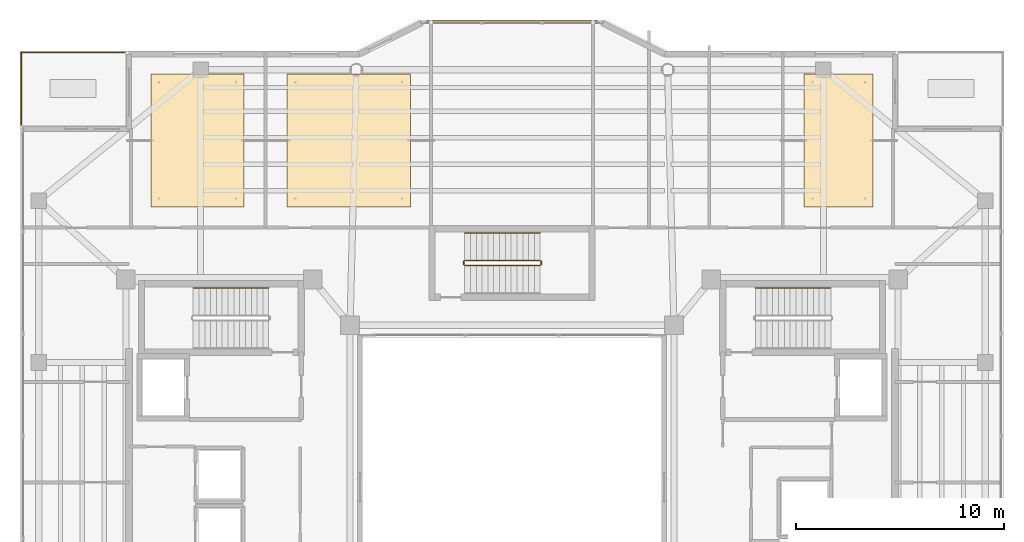
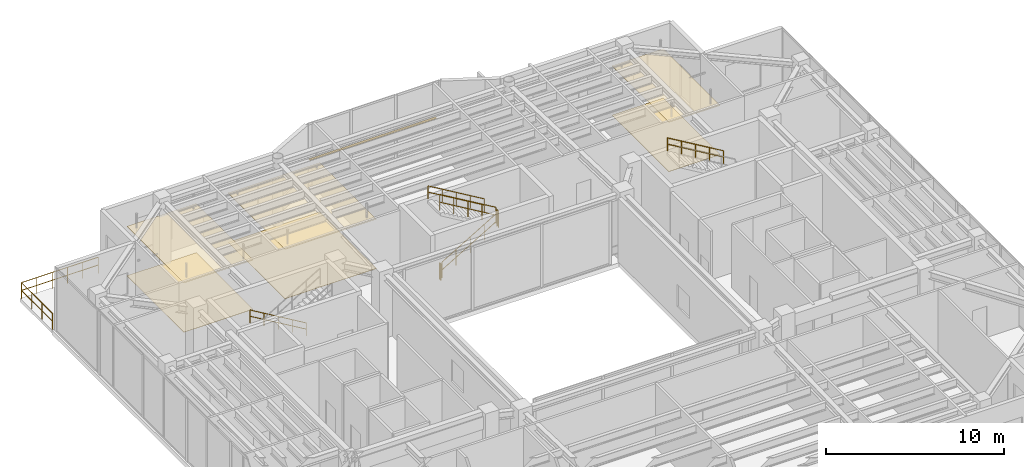
# One storey, part 33 of 34: 9 railings, 6 coverings, 1 shading device.
"""IFC4 building model written with IfcOpenShell, lengths in metres."""

from ifc_helpers import new_model, si_unit, direction, frame, origin, origin_2d, place, context, subcontext, project, spatial, polyline, rectangle, circle, outline, extrude, material, layer, layer_set, material_profile, profile_set, type_object, element, save


model = new_model("IFC4")

# Units and contexts
model_context = context("Model", 3, precision=1e-05, world=origin(), true_north=direction((0.0, 1.0)))
body_context = subcontext(model_context, "Body", "Model", "MODEL_VIEW")
ifc_project = project(units=[si_unit("LENGTHUNIT", "METRE"), si_unit("AREAUNIT", "SQUARE_METRE"), si_unit("VOLUMEUNIT", "CUBIC_METRE"), si_unit("PLANEANGLEUNIT", "RADIAN"), si_unit("MASSUNIT", "GRAM", prefix="KILO")], contexts=[model_context])

# Site, building, storey
site_placement = place(None, origin())
site = spatial("IfcSite", under=ifc_project, at=site_placement, CompositionType="ELEMENT")
building_placement = place(site_placement, origin())
building = spatial("IfcBuilding", under=site, at=building_placement, Name="Tarnavaz Court Tower", CompositionType="ELEMENT")
storey_placement = place(building_placement, frame((0.0, 0.0, 231.75)))
storey = spatial("IfcBuildingStorey", under=building, at=storey_placement, Name="L63", CompositionType="ELEMENT", Elevation=231.75)

# Coverings
ifc_material_1 = material(Name="Perforated Gypsum Acoustic Ceiling Tile", Category="masonry")
ifc_layer_1 = layer(ifc_material_1, 0.02490234375)
ifc_layer_set_1 = layer_set([ifc_layer_1], Name="Perforated Gypsum Acoustic Ceiling Tile")
covering_type_1 = type_object("IfcCoveringType", Name="CV-CEIL-AC", PredefinedType="CEILING", material=ifc_layer_set_1)
covering_1_placement = place(storey_placement, frame((0.0, 0.0, 3.3798828125)))
element("IfcCovering", 1, at=covering_1_placement, inside=storey, type_object=covering_type_1, Name="L63 L63 Community Banquet Assembly Hall Suspended Acoustic Ceiling", PredefinedType="CEILING", context=body_context, shape_type="SweptSolid", body=[
    extrude(outline(polyline([(-17.39990234375, 13.5), (-12.89990234375, 13.5), (-12.89990234375, 19.89990234375), (-17.39990234375, 19.89990234375), (-17.39990234375, 13.5)])), origin(), (0.0, 0.0, 1.0), 0.025146484375),
])
covering_2_placement = place(storey_placement, frame((0.0, 0.0, 3.3798828125)))
element("IfcCovering", 2, at=covering_2_placement, inside=storey, type_object=covering_type_1, Name="L63 L63 Resident Study Library Suspended Acoustic Ceiling", PredefinedType="CEILING", context=body_context, shape_type="SweptSolid", body=[
    extrude(outline(polyline([(-10.840087890625, 13.5), (-4.89990234375, 13.5), (-4.89990234375, 19.89990234375), (-10.840087890625, 19.89990234375), (-10.840087890625, 13.5)])), origin(), (0.0, 0.0, 1.0), 0.025146484375),
])
covering_3_placement = place(storey_placement, frame((0.0, 0.0, 3.3798828125)))
element("IfcCovering", 3, at=covering_3_placement, inside=storey, type_object=covering_type_1, Name="L63 L63 Fitness Studio Suspended Acoustic Ceiling", PredefinedType="CEILING", context=body_context, shape_type="SweptSolid", body=[
    extrude(outline(polyline([(14.070068359375, 13.5), (17.39990234375, 13.5), (17.39990234375, 19.89990234375), (14.070068359375, 19.89990234375), (14.070068359375, 13.5)])), origin(), (0.0, 0.0, 1.0), 0.025146484375),
])
ifc_material_2 = material(Name="Glazed Khorasan Porcelain Floor Tile", Category="masonry")
ifc_layer_2 = layer(ifc_material_2, 0.02001953125)
ifc_layer_set_2 = layer_set([ifc_layer_2], Name="Glazed Khorasan Porcelain Floor Tile")
covering_type_2 = type_object("IfcCoveringType", Name="CV-FLR-PORC", PredefinedType="FLOORING", material=ifc_layer_set_2)
covering_4_placement = place(storey_placement, origin())
element("IfcCovering", 4, at=covering_4_placement, inside=storey, type_object=covering_type_2, Name="L63 L63 Community Banquet Assembly Hall Porcelain Floor Finish", PredefinedType="FLOORING", context=body_context, shape_type="SweptSolid", body=[
    extrude(outline(polyline([(-17.39990234375, 13.5), (-12.89990234375, 13.5), (-12.89990234375, 19.89990234375), (-17.39990234375, 19.89990234375), (-17.39990234375, 13.5)])), origin(), (0.0, 0.0, 1.0), 0.02001953125),
])
covering_5_placement = place(storey_placement, origin())
element("IfcCovering", 5, at=covering_5_placement, inside=storey, type_object=covering_type_2, Name="L63 L63 Resident Study Library Porcelain Floor Finish", PredefinedType="FLOORING", context=body_context, shape_type="SweptSolid", body=[
    extrude(outline(polyline([(-10.840087890625, 13.5), (-4.89990234375, 13.5), (-4.89990234375, 19.89990234375), (-10.840087890625, 19.89990234375), (-10.840087890625, 13.5)])), origin(), (0.0, 0.0, 1.0), 0.02001953125),
])
covering_6_placement = place(storey_placement, origin())
element("IfcCovering", 6, at=covering_6_placement, inside=storey, type_object=covering_type_2, Name="L63 L63 Fitness Studio Porcelain Floor Finish", PredefinedType="FLOORING", context=body_context, shape_type="SweptSolid", body=[
    extrude(outline(polyline([(14.070068359375, 13.5), (17.39990234375, 13.5), (17.39990234375, 19.89990234375), (14.070068359375, 19.89990234375), (14.070068359375, 13.5)])), origin(), (0.0, 0.0, 1.0), 0.02001953125),
])

# Railings
ifc_material_3 = material(Name="Anodised Aluminium 6063-T6 and Laminated Safety Glass", Category="aluminium")
railing_type_1 = type_object("IfcRailingType", Name="RL-BAL-1120", PredefinedType="BALUSTRADE", material=ifc_material_3)
railing_1_placement = place(storey_placement, frame((-18.659912109375, 20.93994140625, 0.0)))
element("IfcRailing", 7, at=railing_1_placement, inside=storey, type_object=railing_type_1, Name="L63 Terrace 2 N Perimeter Balustrade", PredefinedType="BALUSTRADE", context=body_context, shape_type="SweptSolid", body=[
    extrude(circle(Radius=0.02392578125, at=origin_2d()), frame((0.0, 0.0, 1.09619140625), z_axis=(-1.0, 0.0, 0.0), x_axis=(0.0, -1.0, 0.0)), (0.0, 0.0, 1.0), 4.97998046875),
    extrude(circle(Radius=0.02392578125, at=origin_2d()), frame((0.0, 0.0, 0.56005859375), z_axis=(-1.0, 0.0, 0.0), x_axis=(0.0, -1.0, 0.0)), (0.0, 0.0, 1.0), 4.97998046875),
    extrude(circle(Radius=0.02099609375, at=origin_2d()), origin(), (0.0, 0.0, 1.0), 1.072021484375),
    extrude(circle(Radius=0.02099609375, at=origin_2d()), frame((-0.99609375, 0.0, 0.0)), (0.0, 0.0, 1.0), 1.072021484375),
    extrude(circle(Radius=0.02099609375, at=origin_2d()), frame((-1.991943359375, 0.0, 0.0)), (0.0, 0.0, 1.0), 1.072021484375),
    extrude(circle(Radius=0.02099609375, at=origin_2d()), frame((-2.988037109375, 0.0, 0.0)), (0.0, 0.0, 1.0), 1.072021484375),
    extrude(circle(Radius=0.02099609375, at=origin_2d()), frame((-3.98388671875, 0.0, 0.0)), (0.0, 0.0, 1.0), 1.072021484375),
    extrude(circle(Radius=0.02099609375, at=origin_2d()), frame((-4.97998046875, 0.0, 0.0)), (0.0, 0.0, 1.0), 1.072021484375),
])
railing_2_placement = place(storey_placement, frame((-23.639892578125, 20.93994140625, 0.0)))
element("IfcRailing", 8, at=railing_2_placement, inside=storey, type_object=railing_type_1, Name="L63 Terrace 2 W Perimeter Balustrade", PredefinedType="BALUSTRADE", context=body_context, shape_type="SweptSolid", body=[
    extrude(circle(Radius=0.02392578125, at=origin_2d()), frame((0.0, 0.0, 1.09619140625), z_axis=(0.0, -1.0, 0.0), x_axis=(1.0, 0.0, 0.0)), (0.0, 0.0, 1.0), 3.47998046875),
    extrude(circle(Radius=0.02392578125, at=origin_2d()), frame((0.0, 0.0, 0.56005859375), z_axis=(0.0, -1.0, 0.0), x_axis=(1.0, 0.0, 0.0)), (0.0, 0.0, 1.0), 3.47998046875),
    extrude(circle(Radius=0.02099609375, at=origin_2d()), origin(), (0.0, 0.0, 1.0), 1.072021484375),
    extrude(circle(Radius=0.02099609375, at=origin_2d()), frame((0.0, -1.159912109375, 0.0)), (0.0, 0.0, 1.0), 1.072021484375),
    extrude(circle(Radius=0.02099609375, at=origin_2d()), frame((0.0, -2.320068359375, 0.0)), (0.0, 0.0, 1.0), 1.072021484375),
    extrude(circle(Radius=0.02099609375, at=origin_2d()), frame((0.0, -3.47998046875, 0.0)), (0.0, 0.0, 1.0), 1.072021484375),
])
ifc_material_4 = material(Name="Brushed Stainless Steel", Category="steel")
railing_type_2 = type_object("IfcRailingType", Name="RL-HANDRAIL-900", PredefinedType="HANDRAIL", material=ifc_material_4)
for number, where, name in (
    (9, (-11.719970703125, 9.590087890625, 0.166015625), "L63 ST-W1 stair handrail 1"),
    (10, (15.360107421875, 9.590087890625, 2.490966796875), "L63 ST-E1 stair handrail 2"),
    (11, (1.360107421875, 12.239990234375, 2.490966796875), "L63 ST-N1 stair handrail 2"),
):
    element("IfcRailing", number, at=place(storey_placement, frame(where)), inside=storey, type_object=railing_type_2, Name=name, PredefinedType="HANDRAIL", context=body_context, shape_type="SweptSolid", body=[
        extrude(circle(Radius=0.02392578125, at=origin_2d()), frame((0.0, 0.0, 0.8759765625), z_axis=(-0.860103130531, 0.0, 0.510120186672), x_axis=(0.0, -1.0, 0.0)), (0.0, 0.0, 1.0), 4.232177734375),
        extrude(circle(Radius=0.02392578125, at=origin_2d()), frame((0.0, 0.0, 0.449951171875), z_axis=(-0.860103130531, 0.0, 0.510120186672), x_axis=(0.0, -1.0, 0.0)), (0.0, 0.0, 1.0), 4.232177734375),
        extrude(circle(Radius=0.02099609375, at=origin_2d()), origin(), (0.0, 0.0, 1.0), 0.851806640625),
        extrude(circle(Radius=0.02099609375, at=origin_2d()), frame((-0.91015625, 0.0, 0.539794921875)), (0.0, 0.0, 1.0), 0.851806640625),
        extrude(circle(Radius=0.02099609375, at=origin_2d()), frame((-1.820068359375, 0.0, 1.07958984375)), (0.0, 0.0, 1.0), 0.851806640625),
        extrude(circle(Radius=0.02099609375, at=origin_2d()), frame((-2.72998046875, 0.0, 1.619140625)), (0.0, 0.0, 1.0), 0.851806640625),
        extrude(circle(Radius=0.02099609375, at=origin_2d()), frame((-3.64013671875, 0.0, 2.158935546875)), (0.0, 0.0, 1.0), 0.851806640625),
    ])
ifc_material_5 = material(Name="Galvanized Painted Tubular Steel", Category="steel")
railing_type_3 = type_object("IfcRailingType", Name="RL-STGUARD-1120", PredefinedType="GUARDRAIL", material=ifc_material_5)
railing_3_placement = place(storey_placement, frame((-2.280029296875, 10.669921875, 0.166015625)))
element("IfcRailing", 12, at=railing_3_placement, inside=storey, type_object=railing_type_3, Name="L63 ST-N1 stair guard 1", PredefinedType="GUARDRAIL", context=body_context, shape_type="SweptSolid", body=[
    extrude(circle(Radius=0.02392578125, at=origin_2d()), frame((0.0, 0.0, 1.09619140625), z_axis=(0.860103130531, 0.0, 0.510120186672), x_axis=(0.0, 1.0, 0.0)), (0.0, 0.0, 1.0), 4.232177734375),
    extrude(circle(Radius=0.02392578125, at=origin_2d()), frame((0.0, 0.0, 0.56005859375), z_axis=(0.860103130531, 0.0, 0.510120186672), x_axis=(0.0, 1.0, 0.0)), (0.0, 0.0, 1.0), 4.232177734375),
    extrude(circle(Radius=0.02099609375, at=origin_2d()), origin(), (0.0, 0.0, 1.0), 1.072021484375),
    extrude(circle(Radius=0.02099609375, at=origin_2d()), frame((0.91015625, 0.0, 0.539794921875)), (0.0, 0.0, 1.0), 1.072021484375),
    extrude(circle(Radius=0.02099609375, at=origin_2d()), frame((1.820068359375, 0.0, 1.07958984375)), (0.0, 0.0, 1.0), 1.072021484375),
    extrude(circle(Radius=0.02099609375, at=origin_2d()), frame((2.72998046875, 0.0, 1.619140625)), (0.0, 0.0, 1.0), 1.072021484375),
    extrude(circle(Radius=0.02099609375, at=origin_2d()), frame((3.64013671875, 0.0, 2.158935546875)), (0.0, 0.0, 1.0), 1.072021484375),
])
railing_4_placement = place(storey_placement, frame((1.409912109375, 10.719970703125, 2.324951171875)))
element("IfcRailing", 13, at=railing_4_placement, inside=storey, type_object=railing_type_3, Name="L63 ST-N1 stair guard 2", PredefinedType="GUARDRAIL", context=body_context, shape_type="SweptSolid", body=[
    extrude(circle(Radius=0.02392578125, at=origin_2d()), frame((0.0, 0.0, 1.09619140625), z_axis=(0.0, 1.0, 0.0), x_axis=(-1.0, 0.0, 0.0)), (0.0, 0.0, 1.0), 0.150146484375),
    extrude(circle(Radius=0.02392578125, at=origin_2d()), frame((0.0, 0.0, 0.56005859375), z_axis=(0.0, 1.0, 0.0), x_axis=(-1.0, 0.0, 0.0)), (0.0, 0.0, 1.0), 0.150146484375),
    extrude(circle(Radius=0.02099609375, at=origin_2d()), origin(), (0.0, 0.0, 1.0), 1.072021484375),
    extrude(circle(Radius=0.02099609375, at=origin_2d()), frame((0.0, 0.150146484375, 0.0)), (0.0, 0.0, 1.0), 1.072021484375),
])
railing_5_placement = place(storey_placement, frame((1.360107421875, 10.919921875, 2.490966796875)))
element("IfcRailing", 14, at=railing_5_placement, inside=storey, type_object=railing_type_3, Name="L63 ST-N1 stair guard 3", PredefinedType="GUARDRAIL", context=body_context, shape_type="SweptSolid", body=[
    extrude(circle(Radius=0.02392578125, at=origin_2d()), frame((0.0, 0.0, 1.09619140625), z_axis=(-0.860103130531, 0.0, 0.510120186672), x_axis=(0.0, -1.0, 0.0)), (0.0, 0.0, 1.0), 4.232177734375),
    extrude(circle(Radius=0.02392578125, at=origin_2d()), frame((0.0, 0.0, 0.56005859375), z_axis=(-0.860103130531, 0.0, 0.510120186672), x_axis=(0.0, -1.0, 0.0)), (0.0, 0.0, 1.0), 4.232177734375),
    extrude(circle(Radius=0.02099609375, at=origin_2d()), origin(), (0.0, 0.0, 1.0), 1.072021484375),
    extrude(circle(Radius=0.02099609375, at=origin_2d()), frame((-0.91015625, 0.0, 0.539794921875)), (0.0, 0.0, 1.0), 1.072021484375),
    extrude(circle(Radius=0.02099609375, at=origin_2d()), frame((-1.820068359375, 0.0, 1.07958984375)), (0.0, 0.0, 1.0), 1.072021484375),
    extrude(circle(Radius=0.02099609375, at=origin_2d()), frame((-2.72998046875, 0.0, 1.619140625)), (0.0, 0.0, 1.0), 1.072021484375),
    extrude(circle(Radius=0.02099609375, at=origin_2d()), frame((-3.64013671875, 0.0, 2.158935546875)), (0.0, 0.0, 1.0), 1.072021484375),
])
railing_6_placement = place(storey_placement, frame((-2.330078125, 10.719970703125, 0.0)))
element("IfcRailing", 15, at=railing_6_placement, inside=storey, type_object=railing_type_3, Name="L63 ST-N1 stair guard 4", PredefinedType="GUARDRAIL", context=body_context, shape_type="SweptSolid", body=[
    extrude(circle(Radius=0.02392578125, at=origin_2d()), frame((0.0, 0.0, 1.09619140625), z_axis=(0.0, 1.0, 0.0), x_axis=(-1.0, 0.0, 0.0)), (0.0, 0.0, 1.0), 0.150146484375),
    extrude(circle(Radius=0.02392578125, at=origin_2d()), frame((0.0, 0.0, 0.56005859375), z_axis=(0.0, 1.0, 0.0), x_axis=(-1.0, 0.0, 0.0)), (0.0, 0.0, 1.0), 0.150146484375),
    extrude(circle(Radius=0.02099609375, at=origin_2d()), origin(), (0.0, 0.0, 1.0), 1.072021484375),
    extrude(circle(Radius=0.02099609375, at=origin_2d()), frame((0.0, 0.150146484375, 0.0)), (0.0, 0.0, 1.0), 1.072021484375),
])

# Shading device
ifc_material_6 = material(Name="Kiln-Fired Khorasan Terracotta Ceramic", Category="masonry")
ifc_material_profile = material_profile(ifc_material_6, rectangle(XDim=0.1201171875, YDim=0.06005859375, at=origin_2d()), Name="TC BAGUETTE 120X60")
ifc_profile_set = profile_set([ifc_material_profile], Name="Kiln-Fired Khorasan Terracotta Ceramic")
shading_device_type = type_object("IfcShadingDeviceType", Name="SD-BAG-120", PredefinedType="USERDEFINED", material=ifc_profile_set)
shading_device_placement = place(storey_placement, frame((-4.10009765625, 22.409912109375, 1.800048828125), z_axis=(1.0, 0.0, 0.0), x_axis=(0.0, 1.0, 0.0)))
element("IfcShadingDevice", 16, at=shading_device_placement, inside=storey, type_object=shading_device_type, Name="L63 Terracotta Baguette Screen PBG7", ObjectType="BAGUETTE", PredefinedType="USERDEFINED", context=body_context, shape_type="SweptSolid", body=[
    extrude(rectangle(XDim=0.1201171875, YDim=0.06005859375, at=origin_2d()), origin(), (0.0, 0.0, 1.0), 8.2001953125),
])

save(model, "model.ifc")
